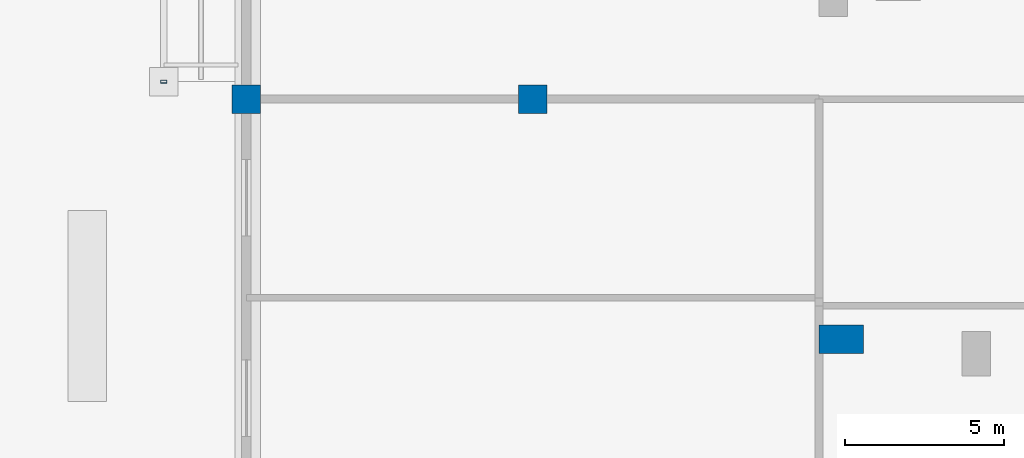
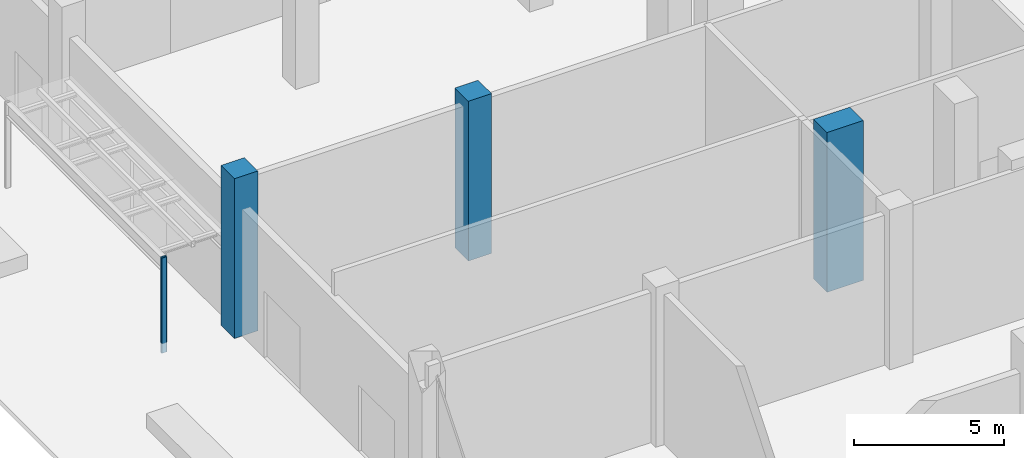
# One storey, part 2 of 39: 4 columns.
"""IFC4 building model written with IfcOpenShell, lengths in metres."""

from ifc_helpers import new_model, si_unit, direction, frame, origin, origin_2d, place, context, subcontext, project, spatial, rectangle, hollow_rectangle, extrude, material, material_profile, profile_set, type_object, element, save


model = new_model("IFC4")

# Units and contexts
model_context = context("Model", 3, precision=1e-05, world=origin(), true_north=direction((0.0, 1.0)))
body_context = subcontext(model_context, "Body", "Model", "MODEL_VIEW")
ifc_project = project(units=[si_unit("LENGTHUNIT", "METRE"), si_unit("AREAUNIT", "SQUARE_METRE"), si_unit("VOLUMEUNIT", "CUBIC_METRE"), si_unit("PLANEANGLEUNIT", "RADIAN"), si_unit("MASSUNIT", "GRAM", prefix="KILO")], contexts=[model_context])

# Site, building, storey
site_placement = place(None, origin())
site = spatial("IfcSite", under=ifc_project, at=site_placement, CompositionType="ELEMENT")
building_placement = place(site_placement, origin())
building = spatial("IfcBuilding", under=site, at=building_placement, Name="Brigalow Station Residences", CompositionType="ELEMENT")
storey_placement = place(building_placement, origin())
storey = spatial("IfcBuildingStorey", under=building, at=storey_placement, Name="L00", CompositionType="ELEMENT", Elevation=0.0)

# Columns
ifc_material_1 = material(Name="Steel Grade C450L0 to AS/NZS 1163", Category="steel")
ifc_material_profile_1 = material_profile(ifc_material_1, hollow_rectangle(XDim=0.10009765625, YDim=0.199951171875, WallThickness=0.009033203125, InnerFilletRadius=0.013427734375, OuterFilletRadius=0.0224609375, at=origin_2d()), Name="200x100x9.0RHS")
ifc_profile_set_1 = profile_set([ifc_material_profile_1], Name="Steel Grade C450L0 to AS/NZS 1163")
column_type_1 = type_object("IfcColumnType", Name="CANOPY POST 200x100x9.0RHS", PredefinedType="COLUMN", material=ifc_profile_set_1)
column_1_placement = place(storey_placement, frame((-20.595458984375, 13.050048828125, -0.39990234375), z_axis=(0.0, 0.0, 1.0), x_axis=(0.0, 1.0, 0.0)))
element("IfcColumn", 1, at=column_1_placement, inside=storey, type_object=column_type_1, Name="L00/canopy-post/W-exit-1", PredefinedType="COLUMN", context=body_context, shape_type="SweptSolid", body=[
    extrude(hollow_rectangle(XDim=0.10009765625, YDim=0.199951171875, WallThickness=0.009033203125, InnerFilletRadius=0.013427734375, OuterFilletRadius=0.0224609375, at=origin_2d()), origin(), (0.0, 0.0, 1.0), 3.8779296875),
])
ifc_material_2 = material(Name="Concrete C50", Category="concrete")
ifc_material_profile_2 = material_profile(ifc_material_2, rectangle(XDim=0.89990234375, YDim=0.89990234375, at=origin_2d()), Name="RC900x900")
ifc_profile_set_2 = profile_set([ifc_material_profile_2], Name="Concrete C50")
column_type_2 = type_object("IfcColumnType", Name="COLUMN 900x900 C50", PredefinedType="COLUMN", material=ifc_profile_set_2)
for number, where, z_axis, x_axis, name in (
    (2, (-18.0, 12.5, 0.0), (0.0, 0.0, 1.0), (1.0, 0.0, 0.0), "COLUMN BW2 L00"),
    (3, (-9.0, 12.5, 0.0), (0.0, 0.0, 1.0), (1.0, 0.0, 0.0), "COLUMN BW1 L00"),
):
    element("IfcColumn", number, at=place(storey_placement, frame(where, z_axis=z_axis, x_axis=x_axis)), inside=storey, type_object=column_type_2, Name=name, PredefinedType="COLUMN", context=body_context, shape_type="SweptSolid", body=[
        extrude(rectangle(XDim=0.89990234375, YDim=0.89990234375, at=origin_2d()), origin(), (0.0, 0.0, 1.0), 6.5),
    ])
ifc_material_3 = material(Name="Concrete C80", Category="concrete")
ifc_material_profile_3 = material_profile(ifc_material_3, rectangle(XDim=1.39990234375, YDim=0.89990234375, at=origin_2d()), Name="RC1400x900")
ifc_profile_set_3 = profile_set([ifc_material_profile_3], Name="Concrete C80")
column_type_3 = type_object("IfcColumnType", Name="PIER 1400x900 C80", PredefinedType="USERDEFINED", material=ifc_profile_set_3)
column_2_placement = place(storey_placement, frame((0.699951171875, 4.949951171875, 0.0), z_axis=(0.0, 0.0, 1.0), x_axis=(1.0, 0.0, 0.0)))
element("IfcColumn", 4, at=column_2_placement, inside=storey, type_object=column_type_3, Name="PIER SW1-1 L00", ObjectType="PIER", PredefinedType="USERDEFINED", context=body_context, shape_type="SweptSolid", body=[
    extrude(rectangle(XDim=1.39990234375, YDim=0.89990234375, at=origin_2d()), origin(), (0.0, 0.0, 1.0), 6.5),
])

save(model, "model.ifc")
